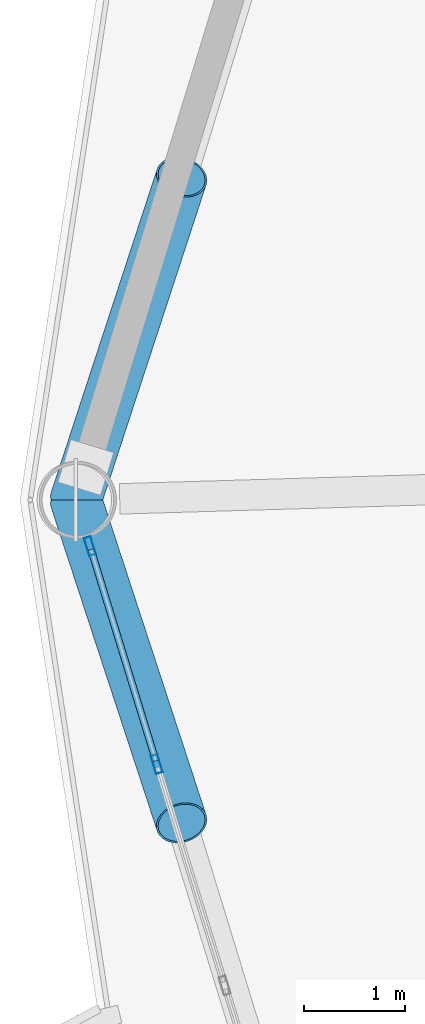
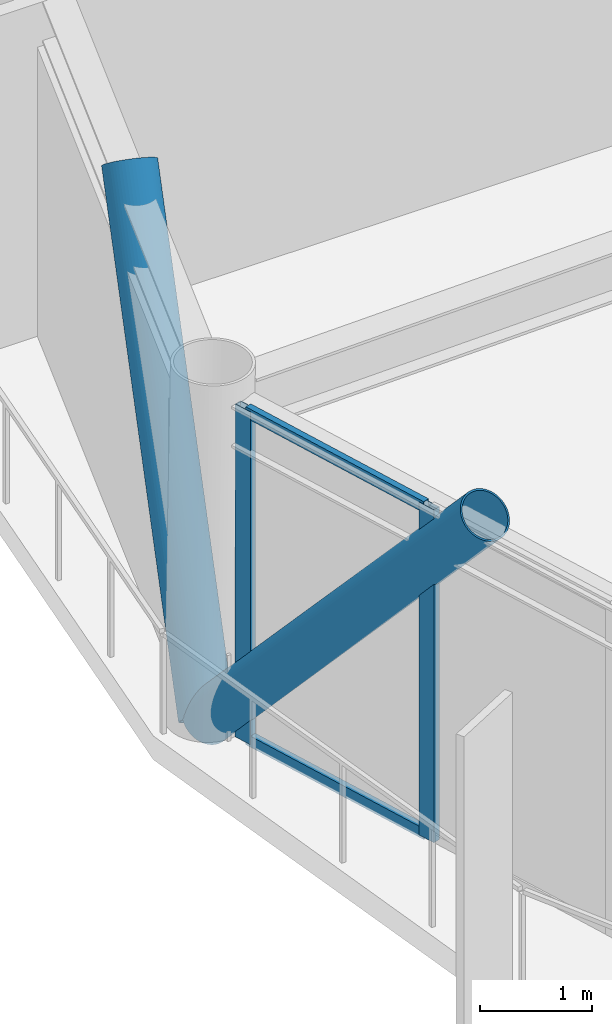
# One storey, part 10 of 27: 6 members, 1 element without a shape of its own.
"""IFC4 building model written with IfcOpenShell, lengths in metres."""

from ifc_helpers import new_model, si_unit, direction, frame, origin, origin_2d, place, context, subcontext, project, spatial, hollow_rectangle, hollow_circle, extrude, material, layer, layer_set, material_profile, profile_set, type_object, element, aggregate, save


model = new_model("IFC4")

# Units and contexts
model_context = context("Model", 3, precision=1e-05, world=origin(), true_north=direction((0.0, 1.0)))
body_context = subcontext(model_context, "Body", "Model", "MODEL_VIEW")
ifc_project = project(units=[si_unit("LENGTHUNIT", "METRE"), si_unit("AREAUNIT", "SQUARE_METRE"), si_unit("VOLUMEUNIT", "CUBIC_METRE"), si_unit("PLANEANGLEUNIT", "RADIAN"), si_unit("MASSUNIT", "GRAM", prefix="KILO")], contexts=[model_context])

# Site, building, storey
site_placement = place(None, origin())
site = spatial("IfcSite", under=ifc_project, at=site_placement, CompositionType="ELEMENT")
building_placement = place(site_placement, origin())
building = spatial("IfcBuilding", under=site, at=building_placement, Name="Varnakorn Sky Granary", CompositionType="ELEMENT")
storey_placement = place(building_placement, frame((0.0, 0.0, 134.39990234375)))
storey = spatial("IfcBuildingStorey", under=building, at=storey_placement, Name="L33", CompositionType="ELEMENT", Elevation=134.39990234375)

# Curtain wall, members
ifc_material_1 = material(Name="Anodised Bronze Aluminium Alloy 6063-T6", Category="aluminium")
ifc_layer = layer(ifc_material_1, 0.179931640625, Name="Anodised Bronze Aluminium Alloy 6063-T6")
ifc_layer_set = layer_set([ifc_layer], Name="Anodised Bronze Aluminium Alloy 6063-T6")
curtain_wall_type = type_object("IfcCurtainWallType", Name="CW-FRM-2", PredefinedType="USERDEFINED", material=ifc_layer_set)
curtain_wall_placement = place(storey_placement, origin())
curtain_wall = element("IfcCurtainWall", 1, at=curtain_wall_placement, inside=storey, type_object=curtain_wall_type, Name="Unitised Curtain Wall CW4 CW-L33-B07", ObjectType="CURTAIN WALL", PredefinedType="USERDEFINED")
ifc_material_profile_1 = material_profile(ifc_material_1, hollow_rectangle(XDim=0.070068359375, YDim=0.18505859375, WallThickness=0.00390625, at=origin_2d()), Name="ALU MULL 70x185")
ifc_profile_set_1 = profile_set([ifc_material_profile_1], Name="Anodised Bronze Aluminium Alloy 6063-T6")
member_type_1 = type_object("IfcMemberType", Name="CW-FRM-2-MULL", PredefinedType="MULLION", material=ifc_profile_set_1)
member_1_placement = place(storey_placement, frame((-21.7509765625, -2.603759765625, 0.0), z_axis=(0.0, 0.0, 1.0), x_axis=(-0.956009129226, -0.293336913524, 0.0)))
member_1 = element("IfcMember", 2, at=member_1_placement, type_object=member_type_1, Name="CW4 mullion 4", PredefinedType="MULLION", context=body_context, shape_type="SweptSolid", body=[
    extrude(hollow_rectangle(XDim=0.070068359375, YDim=0.18505859375, WallThickness=0.00390625, at=origin_2d()), origin(), (0.0, 0.0, 1.0), 3.64013671875),
])
member_2_placement = place(storey_placement, frame((-22.410400390625, -0.455078125, 0.0), z_axis=(0.0, 0.0, 1.0), x_axis=(-0.956009129226, -0.293336913524, 0.0)))
member_2 = element("IfcMember", 3, at=member_2_placement, type_object=member_type_1, Name="CW4 mullion 5", PredefinedType="MULLION", context=body_context, shape_type="SweptSolid", body=[
    extrude(hollow_rectangle(XDim=0.070068359375, YDim=0.18505859375, WallThickness=0.00390625, at=origin_2d()), origin(), (0.0, 0.0, 1.0), 3.64013671875),
])
ifc_material_profile_2 = material_profile(ifc_material_1, hollow_rectangle(XDim=0.06494140625, YDim=0.1201171875, WallThickness=0.00341796875, at=origin_2d()), Name="ALU TRAN 65x120")
ifc_profile_set_2 = profile_set([ifc_material_profile_2], Name="Anodised Bronze Aluminium Alloy 6063-T6")
member_type_2 = type_object("IfcMemberType", Name="CW-FRM-2-TRAN", PredefinedType="USERDEFINED", material=ifc_profile_set_2)
member_3_placement = place(storey_placement, frame((-21.76123046875, -2.5703125, 0.03271484375), z_axis=(-0.293400367369, 0.955989657072, 0.0), x_axis=(-0.955989657072, -0.293400367369, 0.0)))
member_3 = element("IfcMember", 4, at=member_3_placement, type_object=member_type_2, Name="CW4 transom 4.1", ObjectType="TRANSOM", PredefinedType="USERDEFINED", context=body_context, shape_type="SweptSolid", body=[
    extrude(hollow_rectangle(XDim=0.06494140625, YDim=0.1201171875, WallThickness=0.00341796875, at=origin_2d()), origin(), (0.0, 0.0, 1.0), 2.177734375),
])
member_4_placement = place(storey_placement, frame((-21.76123046875, -2.5703125, 3.607666015625), z_axis=(-0.293400367369, 0.955989657072, 0.0), x_axis=(-0.955989657072, -0.293400367369, 0.0)))
member_4 = element("IfcMember", 5, at=member_4_placement, type_object=member_type_2, Name="CW4 transom 4.2", ObjectType="TRANSOM", PredefinedType="USERDEFINED", context=body_context, shape_type="SweptSolid", body=[
    extrude(hollow_rectangle(XDim=0.06494140625, YDim=0.1201171875, WallThickness=0.00341796875, at=origin_2d()), origin(), (0.0, 0.0, 1.0), 2.177734375),
])
aggregate(curtain_wall, [member_1, member_2, member_3, member_4])

# Members
ifc_material_2 = material(Name="Steel S460M", Category="steel")
ifc_material_profile_3 = material_profile(ifc_material_2, hollow_circle(Radius=0.25390625, WallThickness=0.01806640625, at=origin_2d()), Name="CHS 508x18")
ifc_profile_set_3 = profile_set([ifc_material_profile_3], Name="Steel S460M")
member_type_3 = type_object("IfcMemberType", Name="MB-DIAG-T2", PredefinedType="BRACE", material=ifc_profile_set_3)
for number, where, z_axis, x_axis, name in (
    (6, (-22.550048828125, 0.0, 0.0), (0.206210401222, 0.629250653168, 0.749346972981), (-0.950274814669, 0.311412550496, 0.0), "Perimeter CHS Diagrid Brace DG06 L33"),
    (7, (-22.550048828125, 0.0, 0.0), (0.206210401222, -0.629250653168, 0.749346972981), (0.950274814669, 0.311412550496, 0.0), "Perimeter CHS Diagrid Brace DG07 L33"),
):
    element("IfcMember", number, at=place(storey_placement, frame(where, z_axis=z_axis, x_axis=x_axis)), inside=storey, type_object=member_type_3, Name=name, PredefinedType="BRACE", context=body_context, shape_type="SweptSolid", body=[
        extrude(hollow_circle(Radius=0.25390625, WallThickness=0.01806640625, at=origin_2d()), origin(), (0.0, 0.0, 1.0), 5.057861328125),
    ])

save(model, "model.ifc")
